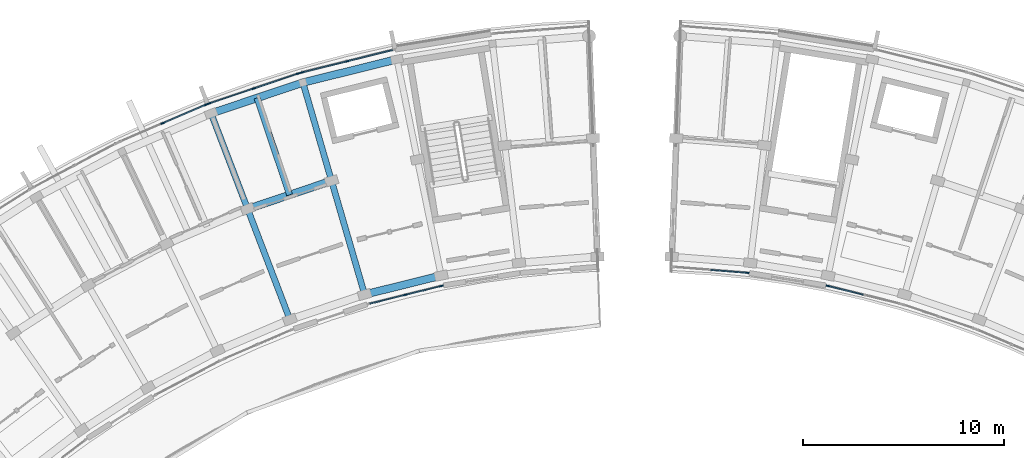
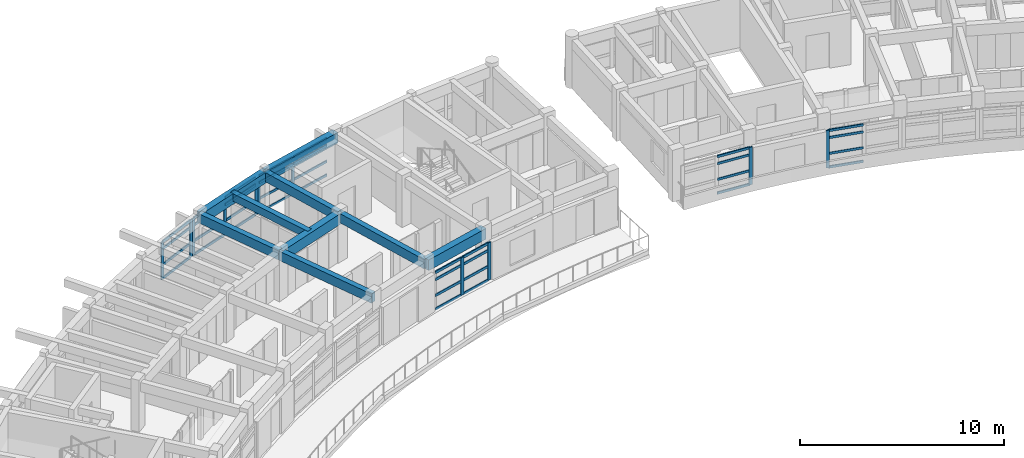
# One storey, part 4 of 23: 47 members, 9 beams, 6 elements without a shape of their own.
"""IFC4 building model written with IfcOpenShell, lengths in metres."""

import ifcopenshell
import ifcopenshell.guid

model = None  # the IFC model being written
_history = None  # IfcOwnerHistory: only IFC2X3 demands one
_inside = {}  # id of a spatial element -> (the spatial element, [elements in it])
_under = {}  # id of a project, library or spatial element -> (it, [spatial elements below it])
_declared = {}  # id of a project -> (the project, [libraries it declares])
_typed = {}  # id of a type object -> (the type object, [elements of that type])
_made_of = {}  # id of a material, layer set ... -> (it, [elements and type objects made of it])


def new_model(schema):
    """Start an empty IFC model of exactly this schema.

    Asked for "IFC4X3", IfcOpenShell would pick the latest addendum, in which some entities
    have other attributes; the version numbers below select the first issue.
    IFC2X3 requires an IfcOwnerHistory on every rooted entity: one is made here for all.
    """
    global model, _history
    if schema == "IFC4X3":
        model = ifcopenshell.file(schema_version=(4, 3, 0, 0))
    else:
        model = ifcopenshell.file(schema=schema)
    _inside.clear()
    _under.clear()
    _declared.clear()
    _typed.clear()
    _made_of.clear()
    _history = None
    if model.schema == "IFC2X3":
        org = make("IfcOrganization", Name="unknown")
        user = make(
            "IfcPersonAndOrganization",
            ThePerson=make("IfcPerson", FamilyName="unknown"),
            TheOrganization=org,
        )
        app = make(
            "IfcApplication",
            ApplicationDeveloper=org,
            Version="unknown",
            ApplicationFullName="unknown",
            ApplicationIdentifier="unknown",
        )
        _history = make(
            "IfcOwnerHistory",
            OwningUser=user,
            OwningApplication=app,
            ChangeAction="ADDED",
            CreationDate=0,
        )
    return model


def make(cls, **values):
    """One entity of the class cls with the attributes given. An attribute that is None is left unset."""
    return model.create_entity(
        cls, **{name: value for name, value in values.items() if value is not None}
    )


def rooted(cls, **values):
    """An entity with a GlobalId (a new one), such as an element, a storey or a relation."""
    return make(cls, GlobalId=ifcopenshell.guid.new(), OwnerHistory=_history, **values)


def si_unit(unit_type, name, prefix=None):
    """IfcSIUnit, for example si_unit("LENGTHUNIT", "METRE", prefix="MILLI")."""
    return make("IfcSIUnit", UnitType=unit_type, Prefix=prefix, Name=name)


def assignment(units):
    """IfcUnitAssignment: the units of a project."""
    return None if units is None else make("IfcUnitAssignment", Units=units)


def point(xyz):
    """IfcCartesianPoint."""
    return None if xyz is None else make("IfcCartesianPoint", Coordinates=xyz)


def direction(xyz):
    """IfcDirection."""
    return None if xyz is None else make("IfcDirection", DirectionRatios=xyz)


def frame(location, z_axis=None, x_axis=None):
    """IfcAxis2Placement3D, a coordinate frame: its origin and axes. An axis left out is left unset."""
    return make(
        "IfcAxis2Placement3D",
        Location=point(location),
        Axis=direction(z_axis),
        RefDirection=direction(x_axis),
    )


def frame_2d(location, x_axis=None):
    """IfcAxis2Placement2D, a coordinate frame in the plane: its origin and x axis."""
    return make(
        "IfcAxis2Placement2D", Location=point(location), RefDirection=direction(x_axis)
    )


def origin():
    """The frame at (0, 0, 0) with its axes left unset."""
    return frame((0.0, 0.0, 0.0))


def origin_2d():
    """The frame at (0, 0) in the plane with its x axis left unset."""
    return frame_2d((0.0, 0.0))


def place(relative_to, where):
    """IfcLocalPlacement: puts the frame where relative to a parent placement (None: the world)."""
    return make(
        "IfcLocalPlacement", PlacementRelTo=relative_to, RelativePlacement=where
    )


def context(
    kind, dimensions, precision=None, world=None, true_north=None, identifier=None
):
    """IfcGeometricRepresentationContext, for example the 3D "Model" context."""
    return make(
        "IfcGeometricRepresentationContext",
        ContextIdentifier=identifier,
        ContextType=kind,
        CoordinateSpaceDimension=dimensions,
        Precision=precision,
        WorldCoordinateSystem=world,
        TrueNorth=true_north,
    )


def subcontext(parent, identifier, kind, view, scale=None):
    """IfcGeometricRepresentationSubContext, for example "Body" below "Model"."""
    return make(
        "IfcGeometricRepresentationSubContext",
        ContextIdentifier=identifier,
        ContextType=kind,
        ParentContext=parent,
        TargetScale=scale,
        TargetView=view,
    )


def project(units=None, contexts=None):
    """IfcProject with its units and contexts."""
    return rooted(
        "IfcProject",
        Name="project",
        RepresentationContexts=contexts,
        UnitsInContext=assignment(units),
    )


def spatial(cls, under=None, at=None, **own):
    """A site, building, storey or space (cls), placed at a placement, below another one or the project."""
    s = rooted(cls, ObjectPlacement=at, **own)
    if under is not None:
        _under.setdefault(under.id(), (under, []))[1].append(s)
    return s


def profile(cls, at=None, kind="AREA", **sizes):
    """A parametric profile (cls). Its sizes go by their IFC names, for example OverallWidth=200.0."""
    return make(cls, ProfileType=kind, Position=at, **sizes)


def rectangle(**sizes):
    """IfcRectangleProfileDef."""
    return profile("IfcRectangleProfileDef", **sizes)


def extrude(swept, where, along, depth):
    """IfcExtrudedAreaSolid: the profile swept, set in the frame where, extruded along a direction by depth."""
    return make(
        "IfcExtrudedAreaSolid",
        SweptArea=swept,
        Position=where,
        ExtrudedDirection=direction(along),
        Depth=depth,
    )


def shape(context_of_items, identifier, shape_type, items):
    """IfcShapeRepresentation: the items that make up one representation, for example the "Body"."""
    return make(
        "IfcShapeRepresentation",
        ContextOfItems=context_of_items,
        RepresentationIdentifier=identifier,
        RepresentationType=shape_type,
        Items=items,
    )


def material(Name=None, Category=None):
    """IfcMaterial."""
    return make("IfcMaterial", Name=Name, Category=Category)


def material_profile(
    of_material, cross_section, Name=None, Category=None, Priority=None
):
    """IfcMaterialProfile: a cross section and its material."""
    return make(
        "IfcMaterialProfile",
        Name=Name,
        Material=of_material,
        Profile=cross_section,
        Priority=Priority,
        Category=Category,
    )


def profile_set(profiles, Name=None, composite=None):
    """IfcMaterialProfileSet."""
    return make(
        "IfcMaterialProfileSet",
        Name=Name,
        MaterialProfiles=profiles,
        CompositeProfile=composite,
    )


def made_of(thing, what):
    """Note that an element or type object is made of a material, layer set ...; save() writes the relation."""
    if what is not None:
        _made_of.setdefault(what.id(), (what, []))[1].append(thing)
    return thing


def type_object(cls, material=None, **own):
    """A type object (cls), such as IfcWallType, which elements share."""
    return made_of(rooted(cls, **own), material)


def element(
    cls,
    number,
    at=None,
    inside=None,
    cuts=None,
    type_object=None,
    material=None,
    context=None,
    identifier="Body",
    shape_type=None,
    held_by="IfcProductDefinitionShape",
    body=None,
    shapes=None,
    **own,
):
    """One element of the class cls, such as IfcWall. Its Tag is "e" and its number.

    at: its placement. inside: the storey or other place that contains it. cuts: it is an
    opening in that element (IfcRelVoidsElement). A single representation is given by context,
    identifier, shape_type and body (its items); several are given by shapes. held_by: the class
    of the entity that holds the representations. save() writes the other relations.
    """
    e = rooted(cls, Tag="e%d" % number, ObjectPlacement=at, **own)
    if body is not None:
        shapes = [shape(context, identifier, shape_type, body)]
    if shapes is not None:
        e.Representation = make(held_by, Representations=shapes)
    if inside is not None:
        _inside.setdefault(inside.id(), (inside, []))[1].append(e)
    if cuts is not None:
        rooted(
            "IfcRelVoidsElement", RelatingBuildingElement=cuts, RelatedOpeningElement=e
        )
    if type_object is not None:
        _typed.setdefault(type_object.id(), (type_object, []))[1].append(e)
    return made_of(e, material)


def aggregate(whole, parts):
    """IfcRelAggregates: a whole, such as a stair, and the parts it consists of."""
    return rooted("IfcRelAggregates", RelatingObject=whole, RelatedObjects=parts)


def save(model, path):
    """Write the relations noted so far, then the file.

    IfcRelAggregates (storeys below a building ...), IfcRelContainedInSpatialStructure (elements
    in a storey), IfcRelDefinesByType, IfcRelAssociatesMaterial and IfcRelDeclares: one each for
    every whole, place, type object, material and project.
    """
    for whole, parts in _under.values():
        aggregate(whole, parts)
    for where, things in _inside.values():
        rooted(
            "IfcRelContainedInSpatialStructure",
            RelatedElements=things,
            RelatingStructure=where,
        )
    for kind, things in _typed.values():
        rooted("IfcRelDefinesByType", RelatedObjects=things, RelatingType=kind)
    for what, things in _made_of.values():
        rooted("IfcRelAssociatesMaterial", RelatedObjects=things, RelatingMaterial=what)
    for by, libraries in _declared.values():
        rooted("IfcRelDeclares", RelatingContext=by, RelatedDefinitions=libraries)
    model.write(path)


model = new_model("IFC4")

# Units and contexts
model_context = context("Model", 3, precision=1e-05, world=origin(), true_north=direction((0.0, 1.0)))
body_context = subcontext(model_context, "Body", "Model", "MODEL_VIEW")
ifc_project = project(units=[si_unit("LENGTHUNIT", "METRE"), si_unit("AREAUNIT", "SQUARE_METRE"), si_unit("VOLUMEUNIT", "CUBIC_METRE"), si_unit("PLANEANGLEUNIT", "RADIAN"), si_unit("MASSUNIT", "GRAM", prefix="KILO")], contexts=[model_context])

# Site, building, storey
site_placement = place(None, origin())
site = spatial("IfcSite", under=ifc_project, at=site_placement, CompositionType="ELEMENT")
building_placement = place(site_placement, origin())
building = spatial("IfcBuilding", under=site, at=building_placement, Name="Zimvara Arc Housing Community", CompositionType="ELEMENT")
storey_placement = place(building_placement, frame((0.0, 0.0, 36.0)))
storey = spatial("IfcBuildingStorey", under=building, at=storey_placement, Name="L11", CompositionType="ELEMENT", Elevation=36.0)

# Beams
ifc_material_1 = material(Name="Concrete C40/50", Category="concrete")
ifc_material_profile_1 = material_profile(ifc_material_1, rectangle(XDim=0.300048828125, YDim=0.449951171875, at=origin_2d()), Name="RC 300x450")
ifc_profile_set_1 = profile_set([ifc_material_profile_1], Name="Concrete C40/50")
beam_type_1 = type_object("IfcBeamType", Name="BM-RC-300x450", PredefinedType="JOIST", material=ifc_profile_set_1)
beam_1_placement = place(storey_placement, frame((27.8720703125, 95.453369140625, 2.64501953125), z_axis=(-0.318607669836, 0.947886677152, 0.0), x_axis=(-0.947886677152, -0.318607669836, 0.0)))
element("IfcBeam", 1, at=beam_1_placement, inside=storey, type_object=beam_type_1, Name="bm:blkA:L11:joist:b6", PredefinedType="JOIST", context=body_context, shape_type="SweptSolid", body=[
    extrude(rectangle(XDim=0.300048828125, YDim=0.449951171875, at=origin_2d()), origin(), (0.0, 0.0, 1.0), 5.07568359375),
])
ifc_material_2 = material(Name="Concrete C40/50", Category="concrete")
ifc_material_profile_2 = material_profile(ifc_material_2, rectangle(XDim=0.300048828125, YDim=0.550048828125, at=origin_2d()), Name="RC 300x550")
ifc_profile_set_2 = profile_set([ifc_material_profile_2], Name="Concrete C40/50")
beam_type_2 = type_object("IfcBeamType", Name="BM-RC-300x550", PredefinedType="BEAM", material=ifc_profile_set_2)
beam_2_placement = place(storey_placement, frame((27.889404296875, 89.260986328125, 2.594970703125), z_axis=(-0.357036247742, 0.934090529766, 0.0), x_axis=(-0.934090529766, -0.357036247742, 0.0)))
element("IfcBeam", 2, at=beam_2_placement, inside=storey, type_object=beam_type_2, Name="bm:blkA:L11:rad:b6:r12", PredefinedType="BEAM", context=body_context, shape_type="SweptSolid", body=[
    extrude(rectangle(XDim=0.300048828125, YDim=0.550048828125, at=origin_2d()), origin(), (0.0, 0.0, 1.0), 5.8798828125),
])
beam_3_placement = place(storey_placement, frame((25.7900390625, 94.75341796875, 2.594970703125), z_axis=(-0.357078271386, 0.934074466038, 0.0), x_axis=(-0.934074466038, -0.357078271386, 0.0)))
element("IfcBeam", 3, at=beam_3_placement, inside=storey, type_object=beam_type_2, Name="bm:blkA:L11:rad:b6:r23", PredefinedType="BEAM", context=body_context, shape_type="SweptSolid", body=[
    extrude(rectangle(XDim=0.300048828125, YDim=0.550048828125, at=origin_2d()), origin(), (0.0, 0.0, 1.0), 5.080078125),
])
beam_4_placement = place(storey_placement, frame((31.5986328125, 90.5078125, 2.594970703125), z_axis=(-0.27967473749, 0.960094808449, 0.0), x_axis=(-0.960094808449, -0.27967473749, 0.0)))
element("IfcBeam", 4, at=beam_4_placement, inside=storey, type_object=beam_type_2, Name="bm:blkA:L11:rad:b7:r12", PredefinedType="BEAM", context=body_context, shape_type="SweptSolid", body=[
    extrude(rectangle(XDim=0.300048828125, YDim=0.550048828125, at=origin_2d()), origin(), (0.0, 0.0, 1.0), 5.880126953125),
])
beam_5_placement = place(storey_placement, frame((29.9541015625, 96.1533203125, 2.594970703125), z_axis=(-0.279662254096, 0.960098444762, 0.0), x_axis=(-0.960098444762, -0.279662254096, 0.0)))
element("IfcBeam", 5, at=beam_5_placement, inside=storey, type_object=beam_type_2, Name="bm:blkA:L11:rad:b7:r23", PredefinedType="BEAM", context=body_context, shape_type="SweptSolid", body=[
    extrude(rectangle(XDim=0.300048828125, YDim=0.550048828125, at=origin_2d()), origin(), (0.0, 0.0, 1.0), 5.079833984375),
])
ifc_material_3 = material(Name="Concrete C40/50", Category="concrete")
ifc_material_profile_3 = material_profile(ifc_material_3, rectangle(XDim=0.3798828125, YDim=0.639892578125, at=origin_2d()), Name="RC 380x640")
ifc_profile_set_3 = profile_set([ifc_material_profile_3], Name="Concrete C40/50")
beam_type_3 = type_object("IfcBeamType", Name="BM-RC-380x640", PredefinedType="BEAM", material=ifc_profile_set_3)
beam_6_placement = place(storey_placement, frame((31.5986328125, 90.5078125, 2.550048828125), z_axis=(0.970708671682, 0.240259598602, 0.0), x_axis=(-0.240259598602, 0.970708671682, 0.0)))
element("IfcBeam", 6, at=beam_6_placement, inside=storey, type_object=beam_type_3, Name="bm:blkA:L11:chord:r1:b7", PredefinedType="BEAM", context=body_context, shape_type="SweptSolid", body=[
    extrude(rectangle(XDim=0.3798828125, YDim=0.639892578125, at=origin_2d()), origin(), (0.0, 0.0, 1.0), 3.9130859375),
])
beam_7_placement = place(storey_placement, frame((25.7900390625, 94.75341796875, 2.550048828125), z_axis=(0.947868796036, 0.318660862832, 0.0), x_axis=(-0.318660862832, 0.947868796036, 0.0)))
element("IfcBeam", 7, at=beam_7_placement, inside=storey, type_object=beam_type_3, Name="bm:blkA:L11:chord:r2:b6", PredefinedType="BEAM", context=body_context, shape_type="SweptSolid", body=[
    extrude(rectangle(XDim=0.3798828125, YDim=0.639892578125, at=origin_2d()), origin(), (0.0, 0.0, 1.0), 4.39306640625),
])
beam_8_placement = place(storey_placement, frame((23.97607421875, 99.49853515625, 2.550048828125), z_axis=(0.947877948153, 0.31863363822, 0.0), x_axis=(-0.31863363822, 0.947877948153, 0.0)))
element("IfcBeam", 8, at=beam_8_placement, inside=storey, type_object=beam_type_3, Name="bm:blkA:L11:chord:r3:b6", PredefinedType="BEAM", context=body_context, shape_type="SweptSolid", body=[
    extrude(rectangle(XDim=0.3798828125, YDim=0.639892578125, at=origin_2d()), origin(), (0.0, 0.0, 1.0), 4.807861328125),
])
beam_9_placement = place(storey_placement, frame((28.533447265625, 101.030517578125, 2.550048828125), z_axis=(0.970716235341, 0.240229037474, 0.0), x_axis=(-0.240229037474, 0.970716235341, 0.0)))
element("IfcBeam", 9, at=beam_9_placement, inside=storey, type_object=beam_type_3, Name="bm:blkA:L11:chord:r3:b7", PredefinedType="BEAM", context=body_context, shape_type="SweptSolid", body=[
    extrude(rectangle(XDim=0.3798828125, YDim=0.639892578125, at=origin_2d()), origin(), (0.0, 0.0, 1.0), 4.80810546875),
])

# Curtain wall, members
ifc_material_4 = material(Name="Anodised Aluminium AW-6063", Category="aluminium")
curtain_wall_type_1 = type_object("IfcCurtainWallType", Name="CW-SYS-08", PredefinedType="USERDEFINED", material=ifc_material_4)
curtain_wall_1_placement = place(storey_placement, origin())
curtain_wall_1 = element("IfcCurtainWall", 10, at=curtain_wall_1_placement, inside=storey, type_object=curtain_wall_type_1, Name="cw:blkA:L11:out:b7", ObjectType="CURTAIN WALL", PredefinedType="USERDEFINED")
ifc_material_5 = material(Name="Anodised Aluminium AW-6063", Category="aluminium")
ifc_material_profile_4 = material_profile(ifc_material_5, rectangle(XDim=0.06494140625, YDim=0.179931640625, at=origin_2d()), Name="ALU 65x180")
ifc_profile_set_4 = profile_set([ifc_material_profile_4], Name="Anodised Aluminium AW-6063")
member_type_1 = type_object("IfcMemberType", Name="CWM-65x150", PredefinedType="MULLION", material=ifc_profile_set_4)
member_1_placement = place(storey_placement, frame((28.4833984375, 101.532958984375, 0.0), z_axis=(0.0, 0.0, 1.0), x_axis=(-0.240229711131, 0.970716068627, 0.0)))
member_1 = element("IfcMember", 11, at=member_1_placement, type_object=member_type_1, Name="CW08 mullion 1", PredefinedType="MULLION", context=body_context, shape_type="SweptSolid", body=[
    extrude(rectangle(XDim=0.06494140625, YDim=0.179931640625, at=origin_2d()), origin(), (0.0, 0.0, 1.0), 2.25),
])
member_2_placement = place(storey_placement, frame((30.7470703125, 102.093017578125, 0.0), z_axis=(0.0, 0.0, 1.0), x_axis=(-0.240229711131, 0.970716068627, 0.0)))
member_2 = element("IfcMember", 12, at=member_2_placement, type_object=member_type_1, Name="CW08 mullion 2", PredefinedType="MULLION", context=body_context, shape_type="SweptSolid", body=[
    extrude(rectangle(XDim=0.06494140625, YDim=0.179931640625, at=origin_2d()), origin(), (0.0, 0.0, 1.0), 2.25),
])

# Curtain wall, member
ifc_material_6 = material(Name="Anodised Aluminium AW-6063", Category="aluminium")
curtain_wall_type_2 = type_object("IfcCurtainWallType", Name="CW-SYS-06", PredefinedType="USERDEFINED", material=ifc_material_6)
curtain_wall_2_placement = place(storey_placement, origin())
curtain_wall_2 = element("IfcCurtainWall", 13, at=curtain_wall_2_placement, inside=storey, type_object=curtain_wall_type_2, Name="cw:blkB:L11:in:b0", ObjectType="CURTAIN WALL", PredefinedType="USERDEFINED")
member_3_placement = place(storey_placement, frame((50.588134765625, 91.5859375, 0.0), z_axis=(0.0, 0.0, 1.0), x_axis=(0.079155101851, 0.996862312384, 0.0)))
member_3 = element("IfcMember", 14, at=member_3_placement, type_object=member_type_1, Name="CW06 mullion 3", PredefinedType="MULLION", context=body_context, shape_type="SweptSolid", body=[
    extrude(rectangle(XDim=0.06494140625, YDim=0.179931640625, at=origin_2d()), origin(), (0.0, 0.0, 1.0), 2.25),
])

curtain_wall_3_placement = place(storey_placement, origin())
curtain_wall_3 = element("IfcCurtainWall", 15, at=curtain_wall_3_placement, inside=storey, type_object=curtain_wall_type_1, Name="cw:blkB:L11:in:b2", ObjectType="CURTAIN WALL", PredefinedType="USERDEFINED")
member_4_placement = place(storey_placement, frame((54.592529296875, 90.935791015625, 0.0), z_axis=(0.0, 0.0, 1.0), x_axis=(0.240229186313, 0.970716198507, 0.0)))
member_4 = element("IfcMember", 16, at=member_4_placement, type_object=member_type_1, Name="CW08 mullion 1", PredefinedType="MULLION", context=body_context, shape_type="SweptSolid", body=[
    extrude(rectangle(XDim=0.06494140625, YDim=0.179931640625, at=origin_2d()), origin(), (0.0, 0.0, 1.0), 2.25),
])

# Curtain wall, members
ifc_material_7 = material(Name="Anodised Aluminium AW-6063", Category="aluminium")
curtain_wall_type_3 = type_object("IfcCurtainWallType", Name="CW-SYS-05", PredefinedType="USERDEFINED", material=ifc_material_7)
curtain_wall_4_placement = place(storey_placement, origin())
curtain_wall_4 = element("IfcCurtainWall", 17, at=curtain_wall_4_placement, inside=storey, type_object=curtain_wall_type_3, Name="cw:blkA:L11:out:b5", ObjectType="CURTAIN WALL", PredefinedType="USERDEFINED")
ifc_material_8 = material(Name="Anodised Aluminium AW-6063", Category="aluminium")
ifc_material_profile_5 = material_profile(ifc_material_8, rectangle(XDim=0.06494140625, YDim=0.195068359375, at=origin_2d()), Name="ALU 65x195")
ifc_profile_set_5 = profile_set([ifc_material_profile_5], Name="Anodised Aluminium AW-6063")
member_type_2 = type_object("IfcMemberType", Name="CWM-65x180", PredefinedType="MULLION", material=ifc_profile_set_5)
member_5_placement = place(storey_placement, frame((21.570068359375, 99.00830078125, 0.0), z_axis=(0.0, 0.0, 1.0), x_axis=(-0.394904211998, 0.918722299363, 0.0)))
member_5 = element("IfcMember", 18, at=member_5_placement, type_object=member_type_2, Name="CW05 mullion 2", PredefinedType="MULLION", context=body_context, shape_type="SweptSolid", body=[
    extrude(rectangle(XDim=0.06494140625, YDim=0.195068359375, at=origin_2d()), origin(), (0.0, 0.0, 1.0), 2.25),
])
member_6_placement = place(storey_placement, frame((23.712646484375, 99.92919921875, 0.0), z_axis=(0.0, 0.0, 1.0), x_axis=(-0.394904211998, 0.918722299363, 0.0)))
member_6 = element("IfcMember", 19, at=member_6_placement, type_object=member_type_2, Name="CW05 mullion 3", PredefinedType="MULLION", context=body_context, shape_type="SweptSolid", body=[
    extrude(rectangle(XDim=0.06494140625, YDim=0.195068359375, at=origin_2d()), origin(), (0.0, 0.0, 1.0), 2.25),
])

ifc_material_9 = material(Name="Anodised Aluminium AW-6063", Category="aluminium")
curtain_wall_type_4 = type_object("IfcCurtainWallType", Name="CW-SYS-07", PredefinedType="USERDEFINED", material=ifc_material_9)
curtain_wall_5_placement = place(storey_placement, origin())
curtain_wall_5 = element("IfcCurtainWall", 20, at=curtain_wall_5_placement, inside=storey, type_object=curtain_wall_type_4, Name="cw:blkA:L11:out:b6", ObjectType="CURTAIN WALL", PredefinedType="USERDEFINED")
member_7_placement = place(storey_placement, frame((23.88525390625, 99.9951171875, 0.0), z_axis=(0.0, 0.0, 1.0), x_axis=(-0.318628583921, 0.947879647164, 0.0)))
member_7 = element("IfcMember", 21, at=member_7_placement, type_object=member_type_2, Name="CW07 mullion 1", PredefinedType="MULLION", context=body_context, shape_type="SweptSolid", body=[
    extrude(rectangle(XDim=0.06494140625, YDim=0.195068359375, at=origin_2d()), origin(), (0.0, 0.0, 1.0), 2.25),
])
member_8_placement = place(storey_placement, frame((26.095703125, 100.73828125, 0.0), z_axis=(0.0, 0.0, 1.0), x_axis=(-0.318628583921, 0.947879647164, 0.0)))
member_8 = element("IfcMember", 22, at=member_8_placement, type_object=member_type_2, Name="CW07 mullion 2", PredefinedType="MULLION", context=body_context, shape_type="SweptSolid", body=[
    extrude(rectangle(XDim=0.06494140625, YDim=0.195068359375, at=origin_2d()), origin(), (0.0, 0.0, 1.0), 2.25),
])
member_9_placement = place(storey_placement, frame((28.305908203125, 101.481201171875, 0.0), z_axis=(0.0, 0.0, 1.0), x_axis=(-0.318628583921, 0.947879647164, 0.0)))
member_9 = element("IfcMember", 23, at=member_9_placement, type_object=member_type_2, Name="CW07 mullion 3", PredefinedType="MULLION", context=body_context, shape_type="SweptSolid", body=[
    extrude(rectangle(XDim=0.06494140625, YDim=0.195068359375, at=origin_2d()), origin(), (0.0, 0.0, 1.0), 2.25),
])

ifc_material_10 = material(Name="Anodised Aluminium AW-6063", Category="aluminium")
curtain_wall_type_5 = type_object("IfcCurtainWallType", Name="CW-SYS-01", PredefinedType="USERDEFINED", material=ifc_material_10)
curtain_wall_6_placement = place(storey_placement, origin())
curtain_wall_6 = element("IfcCurtainWall", 24, at=curtain_wall_6_placement, inside=storey, type_object=curtain_wall_type_5, Name="cw:blkA:L11:in:b7", ObjectType="CURTAIN WALL", PredefinedType="USERDEFINED")
member_10_placement = place(storey_placement, frame((33.617919921875, 90.492919921875, 0.0), z_axis=(0.0, 0.0, 1.0), x_axis=(-0.240229186313, 0.970716198507, 0.0)))
member_10 = element("IfcMember", 25, at=member_10_placement, type_object=member_type_2, Name="CW01 mullion 2", PredefinedType="MULLION", context=body_context, shape_type="SweptSolid", body=[
    extrude(rectangle(XDim=0.06494140625, YDim=0.195068359375, at=origin_2d()), origin(), (0.0, 0.0, 1.0), 2.25),
])
member_11_placement = place(storey_placement, frame((35.407470703125, 90.935791015625, 0.0), z_axis=(0.0, 0.0, 1.0), x_axis=(-0.240229186313, 0.970716198507, 0.0)))
member_11 = element("IfcMember", 26, at=member_11_placement, type_object=member_type_2, Name="CW01 mullion 3", PredefinedType="MULLION", context=body_context, shape_type="SweptSolid", body=[
    extrude(rectangle(XDim=0.06494140625, YDim=0.195068359375, at=origin_2d()), origin(), (0.0, 0.0, 1.0), 2.25),
])

# Member
ifc_material_11 = material(Name="Anodised Aluminium AW-6063", Category="aluminium")
ifc_material_profile_6 = material_profile(ifc_material_11, rectangle(XDim=0.06494140625, YDim=0.139892578125, at=origin_2d()), Name="ALU 65x140")
ifc_profile_set_6 = profile_set([ifc_material_profile_6], Name="Anodised Aluminium AW-6063")
member_type_3 = type_object("IfcMemberType", Name="CWT-65x120", PredefinedType="USERDEFINED", material=ifc_profile_set_6)
member_12_placement = place(storey_placement, frame((28.51513671875, 101.540771484375, 0.032470703125), z_axis=(0.970728837212, 0.240178110172, 0.0), x_axis=(-0.240178110172, 0.970728837212, 0.0)))
member_12 = element("IfcMember", 27, at=member_12_placement, type_object=member_type_3, Name="CW08 transom 1.1", ObjectType="TRANSOM", PredefinedType="USERDEFINED", context=body_context, shape_type="SweptSolid", body=[
    extrude(rectangle(XDim=0.06494140625, YDim=0.139892578125, at=origin_2d()), origin(), (0.0, 0.0, 1.0), 2.266845703125),
])

member_13_placement = place(storey_placement, frame((28.51513671875, 101.540771484375, 0.85009765625), z_axis=(0.970728837212, 0.240178110172, 0.0), x_axis=(-0.240178110172, 0.970728837212, 0.0)))
member_13 = element("IfcMember", 28, at=member_13_placement, type_object=member_type_3, Name="CW08 transom 1.2", ObjectType="TRANSOM", PredefinedType="USERDEFINED", context=body_context, shape_type="SweptSolid", body=[
    extrude(rectangle(XDim=0.06494140625, YDim=0.139892578125, at=origin_2d()), origin(), (0.0, 0.0, 1.0), 2.266845703125),
])

member_14_placement = place(storey_placement, frame((28.51513671875, 101.540771484375, 1.800048828125), z_axis=(0.970728837212, 0.240178110172, 0.0), x_axis=(-0.240178110172, 0.970728837212, 0.0)))
member_14 = element("IfcMember", 29, at=member_14_placement, type_object=member_type_3, Name="CW08 transom 1.3", ObjectType="TRANSOM", PredefinedType="USERDEFINED", context=body_context, shape_type="SweptSolid", body=[
    extrude(rectangle(XDim=0.06494140625, YDim=0.139892578125, at=origin_2d()), origin(), (0.0, 0.0, 1.0), 2.266845703125),
])

member_15_placement = place(storey_placement, frame((28.51513671875, 101.540771484375, 2.217529296875), z_axis=(0.970728837212, 0.240178110172, 0.0), x_axis=(-0.240178110172, 0.970728837212, 0.0)))
member_15 = element("IfcMember", 30, at=member_15_placement, type_object=member_type_3, Name="CW08 transom 1.4", ObjectType="TRANSOM", PredefinedType="USERDEFINED", context=body_context, shape_type="SweptSolid", body=[
    extrude(rectangle(XDim=0.06494140625, YDim=0.139892578125, at=origin_2d()), origin(), (0.0, 0.0, 1.0), 2.266845703125),
])

member_16_placement = place(storey_placement, frame((30.77880859375, 102.100830078125, 0.032470703125), z_axis=(0.970703721793, 0.240279596507, 0.0), x_axis=(-0.240279596507, 0.970703721793, 0.0)))
member_16 = element("IfcMember", 31, at=member_16_placement, type_object=member_type_3, Name="CW08 transom 2.1", ObjectType="TRANSOM", PredefinedType="USERDEFINED", context=body_context, shape_type="SweptSolid", body=[
    extrude(rectangle(XDim=0.06494140625, YDim=0.139892578125, at=origin_2d()), origin(), (0.0, 0.0, 1.0), 2.266845703125),
])

member_17_placement = place(storey_placement, frame((30.77880859375, 102.100830078125, 0.85009765625), z_axis=(0.970703721793, 0.240279596507, 0.0), x_axis=(-0.240279596507, 0.970703721793, 0.0)))
member_17 = element("IfcMember", 32, at=member_17_placement, type_object=member_type_3, Name="CW08 transom 2.2", ObjectType="TRANSOM", PredefinedType="USERDEFINED", context=body_context, shape_type="SweptSolid", body=[
    extrude(rectangle(XDim=0.06494140625, YDim=0.139892578125, at=origin_2d()), origin(), (0.0, 0.0, 1.0), 2.266845703125),
])

member_18_placement = place(storey_placement, frame((30.77880859375, 102.100830078125, 1.800048828125), z_axis=(0.970703721793, 0.240279596507, 0.0), x_axis=(-0.240279596507, 0.970703721793, 0.0)))
member_18 = element("IfcMember", 33, at=member_18_placement, type_object=member_type_3, Name="CW08 transom 2.3", ObjectType="TRANSOM", PredefinedType="USERDEFINED", context=body_context, shape_type="SweptSolid", body=[
    extrude(rectangle(XDim=0.06494140625, YDim=0.139892578125, at=origin_2d()), origin(), (0.0, 0.0, 1.0), 2.266845703125),
])

member_19_placement = place(storey_placement, frame((30.77880859375, 102.100830078125, 2.217529296875), z_axis=(0.970703721793, 0.240279596507, 0.0), x_axis=(-0.240279596507, 0.970703721793, 0.0)))
member_19 = element("IfcMember", 34, at=member_19_placement, type_object=member_type_3, Name="CW08 transom 2.4", ObjectType="TRANSOM", PredefinedType="USERDEFINED", context=body_context, shape_type="SweptSolid", body=[
    extrude(rectangle(XDim=0.06494140625, YDim=0.139892578125, at=origin_2d()), origin(), (0.0, 0.0, 1.0), 2.266845703125),
])

aggregate(curtain_wall_1, [member_1, member_2, member_12, member_13, member_14, member_15, member_16, member_17, member_18, member_19])

member_20_placement = place(storey_placement, frame((48.78271484375, 91.729248046875, 0.032470703125), z_axis=(0.996859203924, -0.079194239386, 0.0), x_axis=(0.079194239386, 0.996859203924, 0.0)))
member_20 = element("IfcMember", 35, at=member_20_placement, type_object=member_type_3, Name="CW06 transom 2.1", ObjectType="TRANSOM", PredefinedType="USERDEFINED", context=body_context, shape_type="SweptSolid", body=[
    extrude(rectangle(XDim=0.06494140625, YDim=0.139892578125, at=origin_2d()), origin(), (0.0, 0.0, 1.0), 1.77880859375),
])

member_21_placement = place(storey_placement, frame((48.78271484375, 91.729248046875, 0.85009765625), z_axis=(0.996859203924, -0.079194239386, 0.0), x_axis=(0.079194239386, 0.996859203924, 0.0)))
member_21 = element("IfcMember", 36, at=member_21_placement, type_object=member_type_3, Name="CW06 transom 2.2", ObjectType="TRANSOM", PredefinedType="USERDEFINED", context=body_context, shape_type="SweptSolid", body=[
    extrude(rectangle(XDim=0.06494140625, YDim=0.139892578125, at=origin_2d()), origin(), (0.0, 0.0, 1.0), 1.77880859375),
])

member_22_placement = place(storey_placement, frame((48.78271484375, 91.729248046875, 1.800048828125), z_axis=(0.996859203924, -0.079194239386, 0.0), x_axis=(0.079194239386, 0.996859203924, 0.0)))
member_22 = element("IfcMember", 37, at=member_22_placement, type_object=member_type_3, Name="CW06 transom 2.3", ObjectType="TRANSOM", PredefinedType="USERDEFINED", context=body_context, shape_type="SweptSolid", body=[
    extrude(rectangle(XDim=0.06494140625, YDim=0.139892578125, at=origin_2d()), origin(), (0.0, 0.0, 1.0), 1.77880859375),
])

member_23_placement = place(storey_placement, frame((48.78271484375, 91.729248046875, 2.217529296875), z_axis=(0.996859203924, -0.079194239386, 0.0), x_axis=(0.079194239386, 0.996859203924, 0.0)))
member_23 = element("IfcMember", 38, at=member_23_placement, type_object=member_type_3, Name="CW06 transom 2.4", ObjectType="TRANSOM", PredefinedType="USERDEFINED", context=body_context, shape_type="SweptSolid", body=[
    extrude(rectangle(XDim=0.06494140625, YDim=0.139892578125, at=origin_2d()), origin(), (0.0, 0.0, 1.0), 1.77880859375),
])

aggregate(curtain_wall_2, [member_3, member_20, member_21, member_22, member_23])

member_24_placement = place(storey_placement, frame((54.6240234375, 90.927978515625, 0.032470703125), z_axis=(0.970721060666, -0.240209538485, 0.0), x_axis=(0.240209538485, 0.970721060666, 0.0)))
member_24 = element("IfcMember", 39, at=member_24_placement, type_object=member_type_3, Name="CW08 transom 1.1", ObjectType="TRANSOM", PredefinedType="USERDEFINED", context=body_context, shape_type="SweptSolid", body=[
    extrude(rectangle(XDim=0.06494140625, YDim=0.139892578125, at=origin_2d()), origin(), (0.0, 0.0, 1.0), 1.778564453125),
])

member_25_placement = place(storey_placement, frame((54.6240234375, 90.927978515625, 0.85009765625), z_axis=(0.970721060666, -0.240209538485, 0.0), x_axis=(0.240209538485, 0.970721060666, 0.0)))
member_25 = element("IfcMember", 40, at=member_25_placement, type_object=member_type_3, Name="CW08 transom 1.2", ObjectType="TRANSOM", PredefinedType="USERDEFINED", context=body_context, shape_type="SweptSolid", body=[
    extrude(rectangle(XDim=0.06494140625, YDim=0.139892578125, at=origin_2d()), origin(), (0.0, 0.0, 1.0), 1.778564453125),
])

member_26_placement = place(storey_placement, frame((54.6240234375, 90.927978515625, 1.800048828125), z_axis=(0.970721060666, -0.240209538485, 0.0), x_axis=(0.240209538485, 0.970721060666, 0.0)))
member_26 = element("IfcMember", 41, at=member_26_placement, type_object=member_type_3, Name="CW08 transom 1.3", ObjectType="TRANSOM", PredefinedType="USERDEFINED", context=body_context, shape_type="SweptSolid", body=[
    extrude(rectangle(XDim=0.06494140625, YDim=0.139892578125, at=origin_2d()), origin(), (0.0, 0.0, 1.0), 1.778564453125),
])

member_27_placement = place(storey_placement, frame((54.6240234375, 90.927978515625, 2.217529296875), z_axis=(0.970721060666, -0.240209538485, 0.0), x_axis=(0.240209538485, 0.970721060666, 0.0)))
member_27 = element("IfcMember", 42, at=member_27_placement, type_object=member_type_3, Name="CW08 transom 1.4", ObjectType="TRANSOM", PredefinedType="USERDEFINED", context=body_context, shape_type="SweptSolid", body=[
    extrude(rectangle(XDim=0.06494140625, YDim=0.139892578125, at=origin_2d()), origin(), (0.0, 0.0, 1.0), 1.778564453125),
])

aggregate(curtain_wall_3, [member_4, member_24, member_25, member_26, member_27])

ifc_material_12 = material(Name="Anodised Aluminium AW-6063", Category="aluminium")
ifc_material_profile_7 = material_profile(ifc_material_12, rectangle(XDim=0.06494140625, YDim=0.155029296875, at=origin_2d()), Name="ALU 65x155")
ifc_profile_set_7 = profile_set([ifc_material_profile_7], Name="Anodised Aluminium AW-6063")
member_type_4 = type_object("IfcMemberType", Name="CWT-65x140", PredefinedType="USERDEFINED", material=ifc_profile_set_7)
member_28_placement = place(storey_placement, frame((21.60009765625, 99.02099609375, 0.032470703125), z_axis=(0.918704360712, 0.394945942641, 0.0), x_axis=(-0.394945942641, 0.918704360712, 0.0)))
member_28 = element("IfcMember", 43, at=member_28_placement, type_object=member_type_4, Name="CW05 transom 2.1", ObjectType="TRANSOM", PredefinedType="USERDEFINED", context=body_context, shape_type="SweptSolid", body=[
    extrude(rectangle(XDim=0.06494140625, YDim=0.155029296875, at=origin_2d()), origin(), (0.0, 0.0, 1.0), 2.266845703125),
])

member_29_placement = place(storey_placement, frame((21.60009765625, 99.02099609375, 0.85009765625), z_axis=(0.918704360712, 0.394945942641, 0.0), x_axis=(-0.394945942641, 0.918704360712, 0.0)))
member_29 = element("IfcMember", 44, at=member_29_placement, type_object=member_type_4, Name="CW05 transom 2.2", ObjectType="TRANSOM", PredefinedType="USERDEFINED", context=body_context, shape_type="SweptSolid", body=[
    extrude(rectangle(XDim=0.06494140625, YDim=0.155029296875, at=origin_2d()), origin(), (0.0, 0.0, 1.0), 2.266845703125),
])

member_30_placement = place(storey_placement, frame((21.60009765625, 99.02099609375, 1.800048828125), z_axis=(0.918704360712, 0.394945942641, 0.0), x_axis=(-0.394945942641, 0.918704360712, 0.0)))
member_30 = element("IfcMember", 45, at=member_30_placement, type_object=member_type_4, Name="CW05 transom 2.3", ObjectType="TRANSOM", PredefinedType="USERDEFINED", context=body_context, shape_type="SweptSolid", body=[
    extrude(rectangle(XDim=0.06494140625, YDim=0.155029296875, at=origin_2d()), origin(), (0.0, 0.0, 1.0), 2.266845703125),
])

member_31_placement = place(storey_placement, frame((21.60009765625, 99.02099609375, 2.217529296875), z_axis=(0.918704360712, 0.394945942641, 0.0), x_axis=(-0.394945942641, 0.918704360712, 0.0)))
member_31 = element("IfcMember", 46, at=member_31_placement, type_object=member_type_4, Name="CW05 transom 2.4", ObjectType="TRANSOM", PredefinedType="USERDEFINED", context=body_context, shape_type="SweptSolid", body=[
    extrude(rectangle(XDim=0.06494140625, YDim=0.155029296875, at=origin_2d()), origin(), (0.0, 0.0, 1.0), 2.266845703125),
])

aggregate(curtain_wall_4, [member_5, member_6, member_28, member_29, member_30, member_31])

member_32_placement = place(storey_placement, frame((23.916015625, 100.00537109375, 0.032470703125), z_axis=(0.947861605379, 0.318682250916, 0.0), x_axis=(-0.318682250916, 0.947861605379, 0.0)))
member_32 = element("IfcMember", 47, at=member_32_placement, type_object=member_type_4, Name="CW07 transom 1.1", ObjectType="TRANSOM", PredefinedType="USERDEFINED", context=body_context, shape_type="SweptSolid", body=[
    extrude(rectangle(XDim=0.06494140625, YDim=0.155029296875, at=origin_2d()), origin(), (0.0, 0.0, 1.0), 2.266845703125),
])

member_33_placement = place(storey_placement, frame((23.916015625, 100.00537109375, 0.85009765625), z_axis=(0.947861605379, 0.318682250916, 0.0), x_axis=(-0.318682250916, 0.947861605379, 0.0)))
member_33 = element("IfcMember", 48, at=member_33_placement, type_object=member_type_4, Name="CW07 transom 1.2", ObjectType="TRANSOM", PredefinedType="USERDEFINED", context=body_context, shape_type="SweptSolid", body=[
    extrude(rectangle(XDim=0.06494140625, YDim=0.155029296875, at=origin_2d()), origin(), (0.0, 0.0, 1.0), 2.266845703125),
])

member_34_placement = place(storey_placement, frame((23.916015625, 100.00537109375, 1.800048828125), z_axis=(0.947861605379, 0.318682250916, 0.0), x_axis=(-0.318682250916, 0.947861605379, 0.0)))
member_34 = element("IfcMember", 49, at=member_34_placement, type_object=member_type_4, Name="CW07 transom 1.3", ObjectType="TRANSOM", PredefinedType="USERDEFINED", context=body_context, shape_type="SweptSolid", body=[
    extrude(rectangle(XDim=0.06494140625, YDim=0.155029296875, at=origin_2d()), origin(), (0.0, 0.0, 1.0), 2.266845703125),
])

member_35_placement = place(storey_placement, frame((23.916015625, 100.00537109375, 2.217529296875), z_axis=(0.947861605379, 0.318682250916, 0.0), x_axis=(-0.318682250916, 0.947861605379, 0.0)))
member_35 = element("IfcMember", 50, at=member_35_placement, type_object=member_type_4, Name="CW07 transom 1.4", ObjectType="TRANSOM", PredefinedType="USERDEFINED", context=body_context, shape_type="SweptSolid", body=[
    extrude(rectangle(XDim=0.06494140625, YDim=0.155029296875, at=origin_2d()), origin(), (0.0, 0.0, 1.0), 2.266845703125),
])

member_36_placement = place(storey_placement, frame((26.12646484375, 100.74853515625, 0.032470703125), z_axis=(0.947861605379, 0.318682250916, 0.0), x_axis=(-0.318682250916, 0.947861605379, 0.0)))
member_36 = element("IfcMember", 51, at=member_36_placement, type_object=member_type_4, Name="CW07 transom 2.1", ObjectType="TRANSOM", PredefinedType="USERDEFINED", context=body_context, shape_type="SweptSolid", body=[
    extrude(rectangle(XDim=0.06494140625, YDim=0.155029296875, at=origin_2d()), origin(), (0.0, 0.0, 1.0), 2.266845703125),
])

member_37_placement = place(storey_placement, frame((26.12646484375, 100.74853515625, 0.85009765625), z_axis=(0.947861605379, 0.318682250916, 0.0), x_axis=(-0.318682250916, 0.947861605379, 0.0)))
member_37 = element("IfcMember", 52, at=member_37_placement, type_object=member_type_4, Name="CW07 transom 2.2", ObjectType="TRANSOM", PredefinedType="USERDEFINED", context=body_context, shape_type="SweptSolid", body=[
    extrude(rectangle(XDim=0.06494140625, YDim=0.155029296875, at=origin_2d()), origin(), (0.0, 0.0, 1.0), 2.266845703125),
])

member_38_placement = place(storey_placement, frame((26.12646484375, 100.74853515625, 1.800048828125), z_axis=(0.947861605379, 0.318682250916, 0.0), x_axis=(-0.318682250916, 0.947861605379, 0.0)))
member_38 = element("IfcMember", 53, at=member_38_placement, type_object=member_type_4, Name="CW07 transom 2.3", ObjectType="TRANSOM", PredefinedType="USERDEFINED", context=body_context, shape_type="SweptSolid", body=[
    extrude(rectangle(XDim=0.06494140625, YDim=0.155029296875, at=origin_2d()), origin(), (0.0, 0.0, 1.0), 2.266845703125),
])

member_39_placement = place(storey_placement, frame((26.12646484375, 100.74853515625, 2.217529296875), z_axis=(0.947861605379, 0.318682250916, 0.0), x_axis=(-0.318682250916, 0.947861605379, 0.0)))
member_39 = element("IfcMember", 54, at=member_39_placement, type_object=member_type_4, Name="CW07 transom 2.4", ObjectType="TRANSOM", PredefinedType="USERDEFINED", context=body_context, shape_type="SweptSolid", body=[
    extrude(rectangle(XDim=0.06494140625, YDim=0.155029296875, at=origin_2d()), origin(), (0.0, 0.0, 1.0), 2.266845703125),
])

aggregate(curtain_wall_5, [member_7, member_8, member_9, member_32, member_33, member_34, member_35, member_36, member_37, member_38, member_39])

member_40_placement = place(storey_placement, frame((31.85986328125, 90.057861328125, 0.032470703125), z_axis=(0.970721060666, 0.240209538485, 0.0), x_axis=(-0.240209538485, 0.970721060666, 0.0)))
member_40 = element("IfcMember", 55, at=member_40_placement, type_object=member_type_4, Name="CW01 transom 1.1", ObjectType="TRANSOM", PredefinedType="USERDEFINED", context=body_context, shape_type="SweptSolid", body=[
    extrude(rectangle(XDim=0.06494140625, YDim=0.155029296875, at=origin_2d()), origin(), (0.0, 0.0, 1.0), 1.778564453125),
])

member_41_placement = place(storey_placement, frame((31.85986328125, 90.057861328125, 0.85009765625), z_axis=(0.970721060666, 0.240209538485, 0.0), x_axis=(-0.240209538485, 0.970721060666, 0.0)))
member_41 = element("IfcMember", 56, at=member_41_placement, type_object=member_type_4, Name="CW01 transom 1.2", ObjectType="TRANSOM", PredefinedType="USERDEFINED", context=body_context, shape_type="SweptSolid", body=[
    extrude(rectangle(XDim=0.06494140625, YDim=0.155029296875, at=origin_2d()), origin(), (0.0, 0.0, 1.0), 1.778564453125),
])

member_42_placement = place(storey_placement, frame((31.85986328125, 90.057861328125, 1.800048828125), z_axis=(0.970721060666, 0.240209538485, 0.0), x_axis=(-0.240209538485, 0.970721060666, 0.0)))
member_42 = element("IfcMember", 57, at=member_42_placement, type_object=member_type_4, Name="CW01 transom 1.3", ObjectType="TRANSOM", PredefinedType="USERDEFINED", context=body_context, shape_type="SweptSolid", body=[
    extrude(rectangle(XDim=0.06494140625, YDim=0.155029296875, at=origin_2d()), origin(), (0.0, 0.0, 1.0), 1.778564453125),
])

member_43_placement = place(storey_placement, frame((31.85986328125, 90.057861328125, 2.217529296875), z_axis=(0.970721060666, 0.240209538485, 0.0), x_axis=(-0.240209538485, 0.970721060666, 0.0)))
member_43 = element("IfcMember", 58, at=member_43_placement, type_object=member_type_4, Name="CW01 transom 1.4", ObjectType="TRANSOM", PredefinedType="USERDEFINED", context=body_context, shape_type="SweptSolid", body=[
    extrude(rectangle(XDim=0.06494140625, YDim=0.155029296875, at=origin_2d()), origin(), (0.0, 0.0, 1.0), 1.778564453125),
])

member_44_placement = place(storey_placement, frame((33.6494140625, 90.500732421875, 0.032470703125), z_axis=(0.970721060666, 0.240209538485, 0.0), x_axis=(-0.240209538485, 0.970721060666, 0.0)))
member_44 = element("IfcMember", 59, at=member_44_placement, type_object=member_type_4, Name="CW01 transom 2.1", ObjectType="TRANSOM", PredefinedType="USERDEFINED", context=body_context, shape_type="SweptSolid", body=[
    extrude(rectangle(XDim=0.06494140625, YDim=0.155029296875, at=origin_2d()), origin(), (0.0, 0.0, 1.0), 1.778564453125),
])

member_45_placement = place(storey_placement, frame((33.6494140625, 90.500732421875, 0.85009765625), z_axis=(0.970721060666, 0.240209538485, 0.0), x_axis=(-0.240209538485, 0.970721060666, 0.0)))
member_45 = element("IfcMember", 60, at=member_45_placement, type_object=member_type_4, Name="CW01 transom 2.2", ObjectType="TRANSOM", PredefinedType="USERDEFINED", context=body_context, shape_type="SweptSolid", body=[
    extrude(rectangle(XDim=0.06494140625, YDim=0.155029296875, at=origin_2d()), origin(), (0.0, 0.0, 1.0), 1.778564453125),
])

member_46_placement = place(storey_placement, frame((33.6494140625, 90.500732421875, 1.800048828125), z_axis=(0.970721060666, 0.240209538485, 0.0), x_axis=(-0.240209538485, 0.970721060666, 0.0)))
member_46 = element("IfcMember", 61, at=member_46_placement, type_object=member_type_4, Name="CW01 transom 2.3", ObjectType="TRANSOM", PredefinedType="USERDEFINED", context=body_context, shape_type="SweptSolid", body=[
    extrude(rectangle(XDim=0.06494140625, YDim=0.155029296875, at=origin_2d()), origin(), (0.0, 0.0, 1.0), 1.778564453125),
])

member_47_placement = place(storey_placement, frame((33.6494140625, 90.500732421875, 2.217529296875), z_axis=(0.970721060666, 0.240209538485, 0.0), x_axis=(-0.240209538485, 0.970721060666, 0.0)))
member_47 = element("IfcMember", 62, at=member_47_placement, type_object=member_type_4, Name="CW01 transom 2.4", ObjectType="TRANSOM", PredefinedType="USERDEFINED", context=body_context, shape_type="SweptSolid", body=[
    extrude(rectangle(XDim=0.06494140625, YDim=0.155029296875, at=origin_2d()), origin(), (0.0, 0.0, 1.0), 1.778564453125),
])

aggregate(curtain_wall_6, [member_10, member_11, member_40, member_41, member_42, member_43, member_44, member_45, member_46, member_47])

save(model, "model.ifc")
